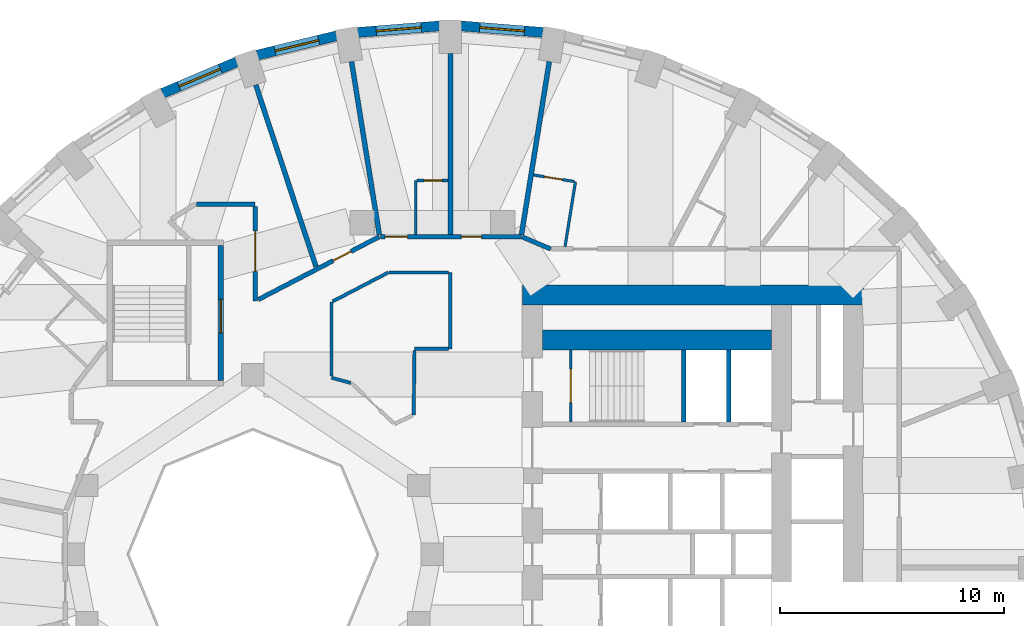
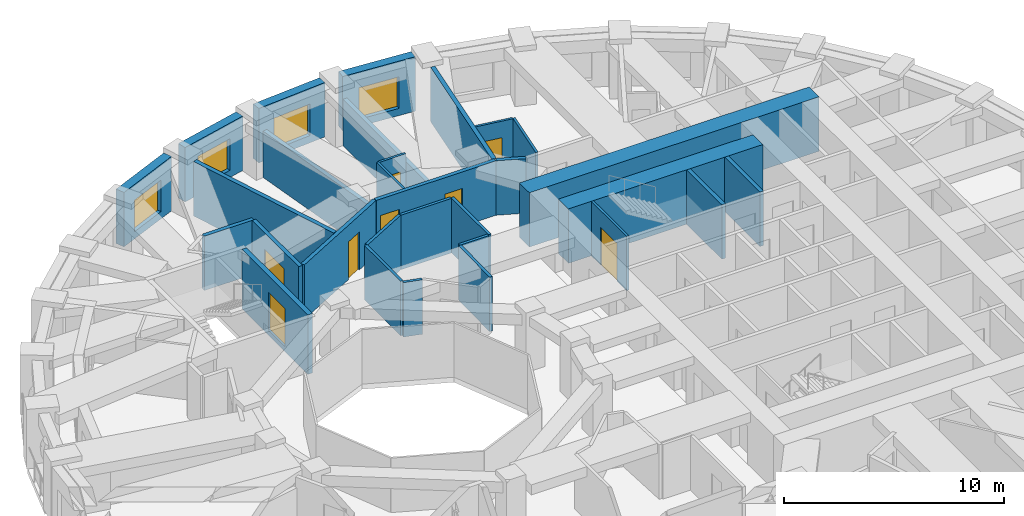
# One storey, part 8 of 13: 30 walls, 8 doors, 4 windows, 12 openings.
"""IFC4 building model written with IfcOpenShell, lengths in metres."""

from ifc_helpers import new_model, si_unit, direction, frame, frame_2d, origin, place, context, subcontext, project, spatial, rectangle, extrude, material, layer, layer_set, type_object, element, fill, save


model = new_model("IFC4")

# Units and contexts
model_context = context("Model", 3, precision=1e-05, world=origin(), true_north=direction((0.0, 1.0)))
body_context = subcontext(model_context, "Body", "Model", "MODEL_VIEW")
ifc_project = project(units=[si_unit("LENGTHUNIT", "METRE"), si_unit("AREAUNIT", "SQUARE_METRE"), si_unit("VOLUMEUNIT", "CUBIC_METRE"), si_unit("PLANEANGLEUNIT", "RADIAN"), si_unit("MASSUNIT", "GRAM", prefix="KILO")], contexts=[model_context])

# Site, building, storey
site_placement = place(None, origin())
site = spatial("IfcSite", under=ifc_project, at=site_placement, CompositionType="ELEMENT")
building_placement = place(site_placement, origin())
building = spatial("IfcBuilding", under=site, at=building_placement, Name="Taillehof Tower", CompositionType="ELEMENT")
storey_placement = place(building_placement, frame((0.0, 0.0, 112.0)))
storey = spatial("IfcBuildingStorey", under=building, at=storey_placement, Name="L31", CompositionType="ELEMENT", Elevation=112.0)

# Wall, opening, window
ifc_material_1 = material(Name="Brick masonry", Category="masonry")
ifc_layer_1 = layer(ifc_material_1, 0.449951171875)
ifc_layer_set_1 = layer_set([ifc_layer_1], Name="Brick infill wall 450")
wall_type_1 = type_object("IfcWallType", Name="Brick infill wall 450", PredefinedType="SOLIDWALL", material=ifc_layer_set_1)
wall_1_placement = place(storey_placement, frame((4.926513671875, 23.24658203125, 0.0), z_axis=(0.0, 0.0, 1.0), x_axis=(-0.996862216754, 0.079156306178, 0.0)))
wall_1 = element("IfcWall", 1, at=wall_1_placement, inside=storey, type_object=wall_type_1, Name="Brick wall L31 bay 9", PredefinedType="SOLIDWALL", context=body_context, shape_type="SweptSolid", body=[
    extrude(rectangle(XDim=3.657958984375, YDim=0.449951171875, at=frame_2d((1.8291015625, 0.0))), origin(), (0.0, 0.0, 1.0), 3.02001953125),
])
opening_1_placement = place(wall_1_placement, frame((0.8291015625, 0.0, 0.39990234375)))
opening_1 = element("IfcOpeningElement", 2, at=opening_1_placement, cuts=wall_1, Name="Opening W2", PredefinedType="OPENING", context=body_context, shape_type="SweptSolid", body=[
    extrude(rectangle(XDim=2.0, YDim=1.75, at=frame_2d((1.0, 0.875))), frame((0.0, 0.23486328125, 0.0), z_axis=(0.0, -1.0, 0.0), x_axis=(1.0, 0.0, 0.0)), (0.0, 0.0, 1.0), 0.469970703125),
])
ifc_material_2 = material(Name="Aluminium window frame with clear double glazing", Category="aluminium")
window_type = type_object("IfcWindowType", Name="Deep-set window 2000x1750", PartitioningType="SINGLE_PANEL", PredefinedType="WINDOW", material=ifc_material_2)
window_1_placement = place(opening_1_placement, origin())
window_1 = element("IfcWindow", 3, at=window_1_placement, inside=storey, type_object=window_type, Name="W2", OverallHeight=1.75, OverallWidth=2.0, PartitioningType="SINGLE_PANEL", PredefinedType="WINDOW", context=body_context, shape_type="SweptSolid", body=[
    extrude(rectangle(XDim=2.0, YDim=1.75, at=frame_2d((1.0, 0.875))), frame((0.0, 0.034912109375, 0.0), z_axis=(0.0, -1.0, 0.0), x_axis=(1.0, 0.0, 0.0)), (0.0, 0.0, 1.0), 0.06005859375),
])
fill(opening_1, window_1)

wall_2_placement = place(storey_placement, frame((0.31982421875, 23.5361328125, 0.0), z_axis=(0.0, 0.0, 1.0), x_axis=(-0.996862216754, -0.079156306178, 0.0)))
wall_2 = element("IfcWall", 4, at=wall_2_placement, inside=storey, type_object=wall_type_1, Name="Brick wall L31 bay 10", PredefinedType="SOLIDWALL", context=body_context, shape_type="SweptSolid", body=[
    extrude(rectangle(XDim=3.657958984375, YDim=0.449951171875, at=frame_2d((1.8291015625, 0.0))), origin(), (0.0, 0.0, 1.0), 3.02001953125),
])
opening_2_placement = place(wall_2_placement, frame((0.8291015625, 0.0, 0.39990234375)))
opening_2 = element("IfcOpeningElement", 5, at=opening_2_placement, cuts=wall_2, Name="Opening W2", PredefinedType="OPENING", context=body_context, shape_type="SweptSolid", body=[
    extrude(rectangle(XDim=2.0, YDim=1.75, at=frame_2d((1.0, 0.875))), frame((0.0, 0.23486328125, 0.0), z_axis=(0.0, -1.0, 0.0), x_axis=(1.0, 0.0, 0.0)), (0.0, 0.0, 1.0), 0.469970703125),
])
window_2_placement = place(opening_2_placement, origin())
window_2 = element("IfcWindow", 6, at=window_2_placement, inside=storey, type_object=window_type, Name="W2", OverallHeight=1.75, OverallWidth=2.0, PartitioningType="SINGLE_PANEL", PredefinedType="WINDOW", context=body_context, shape_type="SweptSolid", body=[
    extrude(rectangle(XDim=2.0, YDim=1.75, at=frame_2d((1.0, 0.875))), frame((0.0, 0.034912109375, 0.0), z_axis=(0.0, -1.0, 0.0), x_axis=(1.0, 0.0, 0.0)), (0.0, 0.0, 1.0), 0.06005859375),
])
fill(opening_2, window_2)

wall_3_placement = place(storey_placement, frame((-4.274658203125, 23.094482421875, 0.0), z_axis=(0.0, 0.0, 1.0), x_axis=(-0.971667603162, -0.236351579148, 0.0)))
wall_3 = element("IfcWall", 7, at=wall_3_placement, inside=storey, type_object=wall_type_1, Name="Brick wall L31 bay 11", PredefinedType="SOLIDWALL", context=body_context, shape_type="SweptSolid", body=[
    extrude(rectangle(XDim=3.635009765625, YDim=0.449951171875, at=frame_2d((1.8173828125, 0.0))), origin(), (0.0, 0.0, 1.0), 3.02001953125),
])
opening_3_placement = place(wall_3_placement, frame((0.8173828125, 0.0, 0.39990234375)))
opening_3 = element("IfcOpeningElement", 8, at=opening_3_placement, cuts=wall_3, Name="Opening W2", PredefinedType="OPENING", context=body_context, shape_type="SweptSolid", body=[
    extrude(rectangle(XDim=2.0, YDim=1.75, at=frame_2d((1.0, 0.875))), frame((0.0, 0.23486328125, 0.0), z_axis=(0.0, -1.0, 0.0), x_axis=(1.0, 0.0, 0.0)), (0.0, 0.0, 1.0), 0.469970703125),
])
window_3_placement = place(opening_3_placement, origin())
window_3 = element("IfcWindow", 9, at=window_3_placement, inside=storey, type_object=window_type, Name="W2", OverallHeight=1.75, OverallWidth=2.0, PartitioningType="SINGLE_PANEL", PredefinedType="WINDOW", context=body_context, shape_type="SweptSolid", body=[
    extrude(rectangle(XDim=2.0, YDim=1.75, at=frame_2d((1.0, 0.875))), frame((0.0, 0.034912109375, 0.0), z_axis=(0.0, -1.0, 0.0), x_axis=(1.0, 0.0, 0.0)), (0.0, 0.0, 1.0), 0.06005859375),
])
fill(opening_3, window_3)

wall_4_placement = place(storey_placement, frame((-8.718017578125, 21.93359375, 0.0), z_axis=(0.0, 0.0, 1.0), x_axis=(-0.920879975612, -0.389846213932, 0.0)))
wall_4 = element("IfcWall", 10, at=wall_4_placement, inside=storey, type_object=wall_type_1, Name="Brick wall L31 bay 12", PredefinedType="SOLIDWALL", context=body_context, shape_type="SweptSolid", body=[
    extrude(rectangle(XDim=3.591552734375, YDim=0.449951171875, at=frame_2d((1.7958984375, 0.0))), origin(), (0.0, 0.0, 1.0), 3.02001953125),
])
opening_4_placement = place(wall_4_placement, frame((0.795654296875, 0.0, 0.39990234375)))
opening_4 = element("IfcOpeningElement", 11, at=opening_4_placement, cuts=wall_4, Name="Opening W2", PredefinedType="OPENING", context=body_context, shape_type="SweptSolid", body=[
    extrude(rectangle(XDim=2.0, YDim=1.75, at=frame_2d((1.0, 0.875))), frame((0.0, 0.23486328125, 0.0), z_axis=(0.0, -1.0, 0.0), x_axis=(1.0, 0.0, 0.0)), (0.0, 0.0, 1.0), 0.469970703125),
])
window_4_placement = place(opening_4_placement, origin())
window_4 = element("IfcWindow", 12, at=window_4_placement, inside=storey, type_object=window_type, Name="W2", OverallHeight=1.75, OverallWidth=2.0, PartitioningType="SINGLE_PANEL", PredefinedType="WINDOW", context=body_context, shape_type="SweptSolid", body=[
    extrude(rectangle(XDim=2.0, YDim=1.75, at=frame_2d((1.0, 0.875))), frame((0.0, 0.034912109375, 0.0), z_axis=(0.0, -1.0, 0.0), x_axis=(1.0, 0.0, 0.0)), (0.0, 0.0, 1.0), 0.06005859375),
])
fill(opening_4, window_4)

# Wall
ifc_material_3 = material(Name="Gypsum board on steel studs, two layers each side", Category="steel")
ifc_layer_2 = layer(ifc_material_3, 0.199951171875)
ifc_layer_set_2 = layer_set([ifc_layer_2], Name="Compartment wall corridor 200")
wall_type_2 = type_object("IfcWallType", Name="Compartment wall corridor 200", PredefinedType="PARTITIONING", material=ifc_layer_set_2)
wall_5_placement = place(storey_placement, frame((-10.508544921875, 15.60009765625, 0.0), z_axis=(0.0, 0.0, 1.0), x_axis=(1.0, 0.0, 0.0)))
element("IfcWall", 13, at=wall_5_placement, inside=storey, type_object=wall_type_2, Name="Compartment wall", PredefinedType="PARTITIONING", context=body_context, shape_type="SweptSolid", body=[
    extrude(rectangle(XDim=2.608642578125, YDim=0.199951171875, at=frame_2d((1.30419921875, 0.0))), origin(), (0.0, 0.0, 1.0), 3.02001953125),
])

# Wall, opening, door
wall_6_placement = place(storey_placement, frame((-7.89990234375, 15.5, 0.0), z_axis=(0.0, 0.0, 1.0), x_axis=(0.0, -1.0, 0.0)))
wall_6 = element("IfcWall", 14, at=wall_6_placement, inside=storey, type_object=wall_type_2, Name="Compartment wall", PredefinedType="PARTITIONING", context=body_context, shape_type="SweptSolid", body=[
    extrude(rectangle(XDim=4.22998046875, YDim=0.199951171875, at=frame_2d((2.114990234375, 0.0))), origin(), (0.0, 0.0, 1.0), 3.02001953125),
])
opening_5_placement = place(wall_6_placement, frame((1.1044921875, 0.0, 0.0)))
opening_5 = element("IfcOpeningElement", 15, at=opening_5_placement, cuts=wall_6, Name="Opening D3148", PredefinedType="OPENING", context=body_context, shape_type="SweptSolid", body=[
    extrude(rectangle(XDim=1.800048828125, YDim=2.10009765625, at=frame_2d((0.89990234375, 1.050048828125))), frame((0.0, 0.10986328125, 0.0), z_axis=(0.0, -1.0, 0.0), x_axis=(1.0, 0.0, 0.0)), (0.0, 0.0, 1.0), 0.219970703125),
])
ifc_material_4 = material(Name="Timber door leaf in steel frame", Category="steel")
door_type_1 = type_object("IfcDoorType", Name="Lounge and meeting room double door EI 30 1800 x 2100", OperationType="SINGLE_SWING_LEFT", PredefinedType="DOOR", material=ifc_material_4)
door_1_placement = place(opening_5_placement, origin())
door_1 = element("IfcDoor", 16, at=door_1_placement, inside=storey, type_object=door_type_1, Name="D3148", OperationType="DOUBLE_DOOR_SINGLE_SWING", OverallHeight=2.10009765625, OverallWidth=1.800048828125, PredefinedType="DOOR", context=body_context, shape_type="SweptSolid", body=[
    extrude(rectangle(XDim=1.800048828125, YDim=2.10009765625, at=frame_2d((0.89990234375, 1.050048828125))), frame((0.0, 0.02490234375, 0.0), z_axis=(0.0, -1.0, 0.0), x_axis=(1.0, 0.0, 0.0)), (0.0, 0.0, 1.0), 0.050048828125),
])
fill(opening_5, door_1)

wall_7_placement = place(storey_placement, frame((-7.75732421875, 11.34423828125, 0.0), z_axis=(0.0, 0.0, 1.0), x_axis=(0.887263483993, 0.461262951008, 0.0)))
wall_7 = element("IfcWall", 17, at=wall_7_placement, inside=storey, type_object=wall_type_2, Name="Compartment wall", PredefinedType="PARTITIONING", context=body_context, shape_type="SweptSolid", body=[
    extrude(rectangle(XDim=6.078857421875, YDim=0.199951171875, at=frame_2d((3.03955078125, 0.0))), origin(), (0.0, 0.0, 1.0), 3.02001953125),
])
opening_6_placement = place(wall_7_placement, frame((3.75048828125, 0.0, 0.0)))
opening_6 = element("IfcOpeningElement", 18, at=opening_6_placement, cuts=wall_7, Name="Opening D3147", PredefinedType="OPENING", context=body_context, shape_type="SweptSolid", body=[
    extrude(rectangle(XDim=0.89990234375, YDim=2.10009765625, at=frame_2d((0.449951171875, 1.050048828125))), frame((0.0, 0.10986328125, 0.0), z_axis=(0.0, -1.0, 0.0), x_axis=(1.0, 0.0, 0.0)), (0.0, 0.0, 1.0), 0.219970703125),
])
ifc_material_5 = material(Name="Timber door leaf in steel frame", Category="steel")
door_type_2 = type_object("IfcDoorType", Name="Service room door EI 30 900 x 2100", OperationType="SINGLE_SWING_LEFT", PredefinedType="DOOR", material=ifc_material_5)
door_2_placement = place(opening_6_placement, origin())
door_2 = element("IfcDoor", 19, at=door_2_placement, inside=storey, type_object=door_type_2, Name="D3147", OperationType="SINGLE_SWING_LEFT", OverallHeight=2.10009765625, OverallWidth=0.89990234375, PredefinedType="DOOR", context=body_context, shape_type="SweptSolid", body=[
    extrude(rectangle(XDim=0.89990234375, YDim=2.10009765625, at=frame_2d((0.449951171875, 1.050048828125))), frame((0.0, 0.02490234375, 0.0), z_axis=(0.0, -1.0, 0.0), x_axis=(1.0, 0.0, 0.0)), (0.0, 0.0, 1.0), 0.050048828125),
])
fill(opening_6, door_2)

# Wall, openings, doors
wall_8_placement = place(storey_placement, frame((-2.32373046875, 14.148193359375, 0.0), z_axis=(0.0, 0.0, 1.0), x_axis=(1.0, 0.0, 0.0)))
wall_8 = element("IfcWall", 20, at=wall_8_placement, inside=storey, type_object=wall_type_2, Name="Compartment wall", PredefinedType="PARTITIONING", context=body_context, shape_type="SweptSolid", body=[
    extrude(rectangle(XDim=6.28759765625, YDim=0.199951171875, at=frame_2d((3.143798828125, 0.0))), origin(), (0.0, 0.0, 1.0), 3.02001953125),
])
opening_7_placement = place(wall_8_placement, frame((3.61669921875, 0.0, 0.0)))
opening_7 = element("IfcOpeningElement", 21, at=opening_7_placement, cuts=wall_8, Name="Opening D3144", PredefinedType="OPENING", context=body_context, shape_type="SweptSolid", body=[
    extrude(rectangle(XDim=0.89990234375, YDim=2.10009765625, at=frame_2d((0.449951171875, 1.050048828125))), frame((0.0, 0.10986328125, 0.0), z_axis=(0.0, -1.0, 0.0), x_axis=(1.0, 0.0, 0.0)), (0.0, 0.0, 1.0), 0.219970703125),
])
opening_8_placement = place(wall_8_placement, frame((0.219970703125, 0.0, 0.0)))
opening_8 = element("IfcOpeningElement", 22, at=opening_8_placement, cuts=wall_8, Name="Opening D3145", PredefinedType="OPENING", context=body_context, shape_type="SweptSolid", body=[
    extrude(rectangle(XDim=1.0, YDim=2.10009765625, at=frame_2d((0.5, 1.050048828125))), frame((0.0, 0.10986328125, 0.0), z_axis=(0.0, -1.0, 0.0), x_axis=(1.0, 0.0, 0.0)), (0.0, 0.0, 1.0), 0.219970703125),
])
ifc_material_6 = material(Name="Timber door leaf in steel frame", Category="steel")
door_type_3 = type_object("IfcDoorType", Name="Guest room door EI 30 1000 x 2100", OperationType="SINGLE_SWING_LEFT", PredefinedType="DOOR", material=ifc_material_6)
door_3_placement = place(opening_8_placement, origin())
door_3 = element("IfcDoor", 23, at=door_3_placement, inside=storey, type_object=door_type_3, Name="D3145", OperationType="SINGLE_SWING_LEFT", OverallHeight=2.10009765625, OverallWidth=1.0, PredefinedType="DOOR", context=body_context, shape_type="SweptSolid", body=[
    extrude(rectangle(XDim=1.0, YDim=2.10009765625, at=frame_2d((0.5, 1.050048828125))), frame((0.0, 0.02490234375, 0.0), z_axis=(0.0, -1.0, 0.0), x_axis=(1.0, 0.0, 0.0)), (0.0, 0.0, 1.0), 0.050048828125),
])
fill(opening_8, door_3)
door_4_placement = place(opening_7_placement, origin())
door_4 = element("IfcDoor", 24, at=door_4_placement, inside=storey, type_object=door_type_2, Name="D3144", OperationType="SINGLE_SWING_LEFT", OverallHeight=2.10009765625, OverallWidth=0.89990234375, PredefinedType="DOOR", context=body_context, shape_type="SweptSolid", body=[
    extrude(rectangle(XDim=0.89990234375, YDim=2.10009765625, at=frame_2d((0.449951171875, 1.050048828125))), frame((0.0, 0.02490234375, 0.0), z_axis=(0.0, -1.0, 0.0), x_axis=(1.0, 0.0, 0.0)), (0.0, 0.0, 1.0), 0.050048828125),
])
fill(opening_7, door_4)

# Walls
wall_9_placement = place(storey_placement, frame((4.00048828125, 14.132568359375, 0.0), z_axis=(0.0, 0.0, 1.0), x_axis=(0.921370144432, -0.388686322051, 0.0)))
element("IfcWall", 25, at=wall_9_placement, inside=storey, type_object=wall_type_2, Name="Compartment wall", PredefinedType="PARTITIONING", context=body_context, shape_type="SweptSolid", body=[
    extrude(rectangle(XDim=1.369873046875, YDim=0.199951171875, at=frame_2d((0.68505859375, 0.0))), origin(), (0.0, 0.0, 1.0), 3.02001953125),
])
ifc_material_7 = material(Name="Gypsum board on double steel studs with mineral wool", Category="steel")
ifc_layer_3 = layer(ifc_material_7, 0.219970703125)
ifc_layer_set_3 = layer_set([ifc_layer_3], Name="Compartment wall guest room 220")
wall_type_3 = type_object("IfcWallType", Name="Compartment wall guest room 220", PredefinedType="PARTITIONING", material=ifc_layer_set_3)
wall_10_placement = place(storey_placement, frame((5.20458984375, 21.9501953125, 0.0), z_axis=(0.0, 0.0, 1.0), x_axis=(-0.158499016873, -0.987359135092, 0.0)))
element("IfcWall", 26, at=wall_10_placement, inside=storey, type_object=wall_type_3, Name="Compartment wall", PredefinedType="PARTITIONING", context=body_context, shape_type="SweptSolid", body=[
    extrude(rectangle(XDim=7.807861328125, YDim=0.219970703125, at=frame_2d((3.90380859375, 0.0))), origin(), (0.0, 0.0, 1.0), 3.02001953125),
])
wall_11_placement = place(storey_placement, frame((0.800048828125, 22.300048828125, 0.0), z_axis=(0.0, 0.0, 1.0), x_axis=(0.0, -1.0, 0.0)))
element("IfcWall", 27, at=wall_11_placement, inside=storey, type_object=wall_type_3, Name="Compartment wall", PredefinedType="PARTITIONING", context=body_context, shape_type="SweptSolid", body=[
    extrude(rectangle(XDim=8.0517578125, YDim=0.219970703125, at=frame_2d((4.02587890625, 0.0))), origin(), (0.0, 0.0, 1.0), 2.570068359375),
])
wall_12_placement = place(storey_placement, frame((-3.604736328125, 21.9501953125, 0.0), z_axis=(0.0, 0.0, 1.0), x_axis=(0.158529499426, -0.987354241299, 0.0)))
element("IfcWall", 28, at=wall_12_placement, inside=storey, type_object=wall_type_3, Name="Compartment wall", PredefinedType="PARTITIONING", context=body_context, shape_type="SweptSolid", body=[
    extrude(rectangle(XDim=7.807861328125, YDim=0.219970703125, at=frame_2d((3.90380859375, 0.0))), origin(), (0.0, 0.0, 1.0), 2.570068359375),
])
wall_13_placement = place(storey_placement, frame((-7.873779296875, 20.911865234375, 0.0), z_axis=(0.0, 0.0, 1.0), x_axis=(0.314561749761, -0.949237012335, 0.0)))
element("IfcWall", 29, at=wall_13_placement, inside=storey, type_object=wall_type_3, Name="Compartment wall", PredefinedType="PARTITIONING", context=body_context, shape_type="SweptSolid", body=[
    extrude(rectangle(XDim=8.53125, YDim=0.219970703125, at=frame_2d((4.265625, 0.0))), origin(), (0.0, 0.0, 1.0), 3.02001953125),
])
ifc_material_8 = material(Name="Gypsum board on steel studs, two layers each side", Category="steel")
ifc_layer_4 = layer(ifc_material_8, 0.14990234375)
ifc_layer_set_4 = layer_set([ifc_layer_4], Name="Compartment wall service room 150")
wall_type_4 = type_object("IfcWallType", Name="Compartment wall service room 150", PredefinedType="PARTITIONING", material=ifc_layer_set_4)
wall_14_placement = place(storey_placement, frame((0.800048828125, 12.548095703125, 0.0), z_axis=(0.0, 0.0, 1.0), x_axis=(0.0, -1.0, 0.0)))
element("IfcWall", 30, at=wall_14_placement, inside=storey, type_object=wall_type_4, Name="Compartment wall", PredefinedType="PARTITIONING", context=body_context, shape_type="SweptSolid", body=[
    extrude(rectangle(XDim=3.398193359375, YDim=0.14990234375, at=frame_2d((1.69921875, 0.0))), origin(), (0.0, 0.0, 1.0), 3.02001953125),
])
wall_15_placement = place(storey_placement, frame((0.719970703125, 9.14990234375, 0.0), z_axis=(0.0, 0.0, 1.0), x_axis=(-1.0, 0.0, 0.0)))
element("IfcWall", 31, at=wall_15_placement, inside=storey, type_object=wall_type_4, Name="Compartment wall", PredefinedType="PARTITIONING", context=body_context, shape_type="SweptSolid", body=[
    extrude(rectangle(XDim=1.52001953125, YDim=0.14990234375, at=frame_2d((0.760009765625, 0.0))), origin(), (0.0, 0.0, 1.0), 3.02001953125),
])
wall_16_placement = place(storey_placement, frame((-0.801025390625, 9.06982421875, 0.0), z_axis=(0.0, 0.0, 1.0), x_axis=(-0.012779053564, -0.999918344561, 0.0)))
element("IfcWall", 32, at=wall_16_placement, inside=storey, type_object=wall_type_4, Name="Compartment wall", PredefinedType="PARTITIONING", context=body_context, shape_type="SweptSolid", body=[
    extrude(rectangle(XDim=2.86572265625, YDim=0.14990234375, at=frame_2d((1.432861328125, 0.0))), origin(), (0.0, 0.0, 1.0), 3.02001953125),
])
wall_17_placement = place(storey_placement, frame((-3.638671875, 7.631103515625, 0.0), z_axis=(0.0, 0.0, 1.0), x_axis=(-0.965879594242, 0.258991523853, 0.0)))
element("IfcWall", 33, at=wall_17_placement, inside=storey, type_object=wall_type_4, Name="Compartment wall", PredefinedType="PARTITIONING", context=body_context, shape_type="SweptSolid", body=[
    extrude(rectangle(XDim=0.891845703125, YDim=0.14990234375, at=frame_2d((0.44580078125, 0.0))), origin(), (0.0, 0.0, 1.0), 3.02001953125),
])
wall_18_placement = place(storey_placement, frame((-4.5, 7.942138671875, 0.0), z_axis=(0.0, 0.0, 1.0), x_axis=(0.0, 1.0, 0.0)))
element("IfcWall", 34, at=wall_18_placement, inside=storey, type_object=wall_type_4, Name="Compartment wall", PredefinedType="PARTITIONING", context=body_context, shape_type="SweptSolid", body=[
    extrude(rectangle(XDim=3.292236328125, YDim=0.14990234375, at=frame_2d((1.64599609375, 0.0))), origin(), (0.0, 0.0, 1.0), 3.02001953125),
])
wall_19_placement = place(storey_placement, frame((-4.446533203125, 11.26220703125, 0.0), z_axis=(0.0, 0.0, 1.0), x_axis=(0.887294207503, 0.461203847915, 0.0)))
element("IfcWall", 35, at=wall_19_placement, inside=storey, type_object=wall_type_4, Name="Compartment wall", PredefinedType="PARTITIONING", context=body_context, shape_type="SweptSolid", body=[
    extrude(rectangle(XDim=2.7880859375, YDim=0.14990234375, at=frame_2d((1.39404296875, 0.0))), origin(), (0.0, 0.0, 1.0), 3.02001953125),
])
wall_20_placement = place(storey_placement, frame((-1.9326171875, 12.548095703125, 0.0), z_axis=(0.0, 0.0, 1.0), x_axis=(1.0, 0.0, 0.0)))
element("IfcWall", 36, at=wall_20_placement, inside=storey, type_object=wall_type_4, Name="Compartment wall", PredefinedType="PARTITIONING", context=body_context, shape_type="SweptSolid", body=[
    extrude(rectangle(XDim=2.652587890625, YDim=0.14990234375, at=frame_2d((1.326171875, 0.0))), origin(), (0.0, 0.0, 1.0), 3.02001953125),
])
ifc_material_9 = material(Name="Concrete C80/95", Category="concrete")
ifc_layer_5 = layer(ifc_material_9, 0.89990234375)
ifc_layer_set_5 = layer_set([ifc_layer_5], Name="Core wall C80/95 900")
wall_type_5 = type_object("IfcWallType", Name="Core wall C80/95 900", PredefinedType="SHEAR", material=ifc_layer_set_5)
wall_21_placement = place(storey_placement, frame((4.0, 11.550048828125, 0.0), z_axis=(0.0, 0.0, 1.0), x_axis=(1.0, 0.0, 0.0)))
element("IfcWall", 37, at=wall_21_placement, inside=storey, type_object=wall_type_5, Name="Core wall CW03", PredefinedType="SHEAR", context=body_context, shape_type="SweptSolid", body=[
    extrude(rectangle(XDim=15.199951171875, YDim=0.89990234375, at=frame_2d((7.60009765625, 0.0))), origin(), (0.0, 0.0, 1.0), 3.02001953125),
])
wall_22_placement = place(storey_placement, frame((4.89990234375, 9.550048828125, 0.0), z_axis=(0.0, 0.0, 1.0), x_axis=(1.0, 0.0, 0.0)))
element("IfcWall", 38, at=wall_22_placement, inside=storey, type_object=wall_type_5, Name="Core wall CW06", PredefinedType="SHEAR", context=body_context, shape_type="SweptSolid", body=[
    extrude(rectangle(XDim=10.2001953125, YDim=0.89990234375, at=frame_2d((5.10009765625, 0.0))), origin(), (0.0, 0.0, 1.0), 3.02001953125),
])
ifc_material_10 = material(Name="Gypsum board on steel studs, moisture resistant", Category="steel")
ifc_layer_6 = layer(ifc_material_10, 0.1201171875)
ifc_layer_set_6 = layer_set([ifc_layer_6], Name="En-suite wall 120")
wall_type_6 = type_object("IfcWallType", Name="En-suite wall 120", PredefinedType="PARTITIONING", material=ifc_layer_set_6)
wall_23_placement = place(storey_placement, frame((5.90576171875, 13.7001953125, 0.0), z_axis=(0.0, 0.0, 1.0), x_axis=(0.158509986532, 0.98735737409, 0.0)))
element("IfcWall", 39, at=wall_23_placement, inside=storey, type_object=wall_type_6, Name="En-suite wall", PredefinedType="PARTITIONING", context=body_context, shape_type="SweptSolid", body=[
    extrude(rectangle(XDim=2.9326171875, YDim=0.1201171875, at=frame_2d((1.46630859375, 0.0))), origin(), (0.0, 0.0, 1.0), 3.02001953125),
])
wall_24_placement = place(storey_placement, frame((-0.75, 14.248291015625, 0.0), z_axis=(0.0, 0.0, 1.0), x_axis=(0.0, 1.0, 0.0)))
element("IfcWall", 40, at=wall_24_placement, inside=storey, type_object=wall_type_6, Name="En-suite wall", PredefinedType="PARTITIONING", context=body_context, shape_type="SweptSolid", body=[
    extrude(rectangle(XDim=2.39990234375, YDim=0.1201171875, at=frame_2d((1.199951171875, 0.0))), origin(), (0.0, 0.0, 1.0), 3.02001953125),
])

# Wall, opening, door
wall_25_placement = place(storey_placement, frame((6.311279296875, 16.605224609375, 0.0), z_axis=(0.0, 0.0, 1.0), x_axis=(-0.987336342922, 0.158640934018, 0.0)))
wall_25 = element("IfcWall", 41, at=wall_25_placement, inside=storey, type_object=wall_type_6, Name="En-suite wall", PredefinedType="PARTITIONING", context=body_context, shape_type="SweptSolid", body=[
    extrude(rectangle(XDim=1.829833984375, YDim=0.1201171875, at=frame_2d((0.9150390625, 0.0))), origin(), (0.0, 0.0, 1.0), 3.02001953125),
])
opening_9_placement = place(wall_25_placement, frame((0.539794921875, 0.0, 0.0)))
opening_9 = element("IfcOpeningElement", 42, at=opening_9_placement, cuts=wall_25, Name="Opening D3143", PredefinedType="OPENING", context=body_context, shape_type="SweptSolid", body=[
    extrude(rectangle(XDim=0.800048828125, YDim=2.10009765625, at=frame_2d((0.39990234375, 1.050048828125))), frame((0.0, 0.070068359375, 0.0), z_axis=(0.0, -1.0, 0.0), x_axis=(1.0, 0.0, 0.0)), (0.0, 0.0, 1.0), 0.14013671875),
])
ifc_material_11 = material(Name="Timber door leaf in steel frame", Category="steel")
door_type_4 = type_object("IfcDoorType", Name="En-suite door 800 x 2100", OperationType="SINGLE_SWING_LEFT", PredefinedType="DOOR", material=ifc_material_11)
door_5_placement = place(opening_9_placement, origin())
door_5 = element("IfcDoor", 43, at=door_5_placement, inside=storey, type_object=door_type_4, Name="D3143", OperationType="SINGLE_SWING_LEFT", OverallHeight=2.10009765625, OverallWidth=0.800048828125, PredefinedType="DOOR", context=body_context, shape_type="SweptSolid", body=[
    extrude(rectangle(XDim=0.800048828125, YDim=2.10009765625, at=frame_2d((0.39990234375, 1.050048828125))), frame((0.0, 0.02490234375, 0.0), z_axis=(0.0, -1.0, 0.0), x_axis=(1.0, 0.0, 0.0)), (0.0, 0.0, 1.0), 0.050048828125),
])
fill(opening_9, door_5)

wall_26_placement = place(storey_placement, frame((-0.68994140625, 16.648193359375, 0.0), z_axis=(0.0, 0.0, 1.0), x_axis=(1.0, 0.0, 0.0)))
wall_26 = element("IfcWall", 44, at=wall_26_placement, inside=storey, type_object=wall_type_6, Name="En-suite wall", PredefinedType="PARTITIONING", context=body_context, shape_type="SweptSolid", body=[
    extrude(rectangle(XDim=1.3798828125, YDim=0.1201171875, at=frame_2d((0.68994140625, 0.0))), origin(), (0.0, 0.0, 1.0), 3.02001953125),
])
opening_10_placement = place(wall_26_placement, frame((0.31494140625, 0.0, 0.0)))
opening_10 = element("IfcOpeningElement", 45, at=opening_10_placement, cuts=wall_26, Name="Opening D3146", PredefinedType="OPENING", context=body_context, shape_type="SweptSolid", body=[
    extrude(rectangle(XDim=0.800048828125, YDim=2.10009765625, at=frame_2d((0.39990234375, 1.050048828125))), frame((0.0, 0.070068359375, 0.0), z_axis=(0.0, -1.0, 0.0), x_axis=(1.0, 0.0, 0.0)), (0.0, 0.0, 1.0), 0.14013671875),
])
door_6_placement = place(opening_10_placement, origin())
door_6 = element("IfcDoor", 46, at=door_6_placement, inside=storey, type_object=door_type_4, Name="D3146", OperationType="SINGLE_SWING_RIGHT", OverallHeight=2.10009765625, OverallWidth=0.800048828125, PredefinedType="DOOR", context=body_context, shape_type="SweptSolid", body=[
    extrude(rectangle(XDim=0.800048828125, YDim=2.10009765625, at=frame_2d((0.39990234375, 1.050048828125))), frame((0.0, 0.02490234375, 0.0), z_axis=(0.0, -1.0, 0.0), x_axis=(1.0, 0.0, 0.0)), (0.0, 0.0, 1.0), 0.050048828125),
])
fill(opening_10, door_6)

# Walls
ifc_material_12 = material(Name="Concrete C50/60", Category="concrete")
ifc_layer_7 = layer(ifc_material_12, 0.199951171875)
ifc_layer_set_7 = layer_set([ifc_layer_7], Name="Shaft wall C50/60 200")
wall_type_7 = type_object("IfcWallType", Name="Shaft wall C50/60 200", PredefinedType="SHEAR", material=ifc_layer_set_7)
for number, where, z_axis, x_axis, name in (
    (47, (11.199951171875, 5.89990234375, 0.0), (0.0, 0.0, 1.0), (0.0, 1.0, 0.0), "Shaft wall SW"),
    (48, (13.199951171875, 5.89990234375, 0.0), (0.0, 0.0, 1.0), (0.0, 1.0, 0.0), "Shaft wall SW"),
):
    element("IfcWall", number, at=place(storey_placement, frame(where, z_axis=z_axis, x_axis=x_axis)), inside=storey, type_object=wall_type_7, Name=name, PredefinedType="SHEAR", context=body_context, shape_type="SweptSolid", body=[
        extrude(rectangle(XDim=3.2001953125, YDim=0.199951171875, at=frame_2d((1.60009765625, 0.0))), origin(), (0.0, 0.0, 1.0), 3.02001953125),
    ])

# Wall, opening, door
ifc_material_13 = material(Name="Concrete C50/60", Category="concrete")
ifc_layer_8 = layer(ifc_material_13, 0.1201171875)
ifc_layer_set_8 = layer_set([ifc_layer_8], Name="Stair lobby wall C50/60 120")
wall_type_8 = type_object("IfcWallType", Name="Stair lobby wall C50/60 120", PredefinedType="SHEAR", material=ifc_layer_set_8)
wall_27_placement = place(storey_placement, frame((6.159912109375, 5.89990234375, 0.0), z_axis=(0.0, 0.0, 1.0), x_axis=(0.0, 1.0, 0.0)))
wall_27 = element("IfcWall", 49, at=wall_27_placement, inside=storey, type_object=wall_type_8, Name="Compartment wall SW", PredefinedType="SHEAR", context=body_context, shape_type="SweptSolid", body=[
    extrude(rectangle(XDim=3.2001953125, YDim=0.1201171875, at=frame_2d((1.60009765625, 0.0))), origin(), (0.0, 0.0, 1.0), 3.02001953125),
])
opening_11_placement = place(wall_27_placement, frame((0.85009765625, 0.0, 0.0)))
opening_11 = element("IfcOpeningElement", 50, at=opening_11_placement, cuts=wall_27, Name="Opening D3110", PredefinedType="OPENING", context=body_context, shape_type="SweptSolid", body=[
    extrude(rectangle(XDim=1.5, YDim=2.10009765625, at=frame_2d((0.75, 1.050048828125))), frame((0.0, 0.070068359375, 0.0), z_axis=(0.0, -1.0, 0.0), x_axis=(1.0, 0.0, 0.0)), (0.0, 0.0, 1.0), 0.14013671875),
])
ifc_material_14 = material(Name="Steel-faced fire door", Category="steel")
door_type_5 = type_object("IfcDoorType", Name="Stair door 1500x2100", OperationType="DOUBLE_DOOR_SINGLE_SWING", PredefinedType="DOOR", material=ifc_material_14)
door_7_placement = place(opening_11_placement, origin())
door_7 = element("IfcDoor", 51, at=door_7_placement, inside=storey, type_object=door_type_5, Name="Stair lobby door S1", OperationType="DOUBLE_DOOR_SINGLE_SWING", OverallHeight=2.10009765625, OverallWidth=1.5, PredefinedType="DOOR", context=body_context, shape_type="SweptSolid", body=[
    extrude(rectangle(XDim=1.5, YDim=2.10009765625, at=frame_2d((0.75, 1.050048828125))), frame((0.0, 0.02490234375, 0.0), z_axis=(0.0, -1.0, 0.0), x_axis=(1.0, 0.0, 0.0)), (0.0, 0.0, 1.0), 0.050048828125),
])
fill(opening_11, door_7)

ifc_material_15 = material(Name="Concrete C50/60", Category="concrete")
ifc_layer_9 = layer(ifc_material_15, 0.25)
ifc_layer_set_9 = layer_set([ifc_layer_9], Name="Stair wall C50/60 250")
wall_type_9 = type_object("IfcWallType", Name="Stair wall C50/60 250", PredefinedType="SHEAR", material=ifc_layer_set_9)
wall_28_placement = place(storey_placement, frame((-9.425048828125, 7.75, -0.280029296875), z_axis=(0.0, 0.0, 1.0), x_axis=(0.0, 1.0, 0.0)))
wall_28 = element("IfcWall", 52, at=wall_28_placement, inside=storey, type_object=wall_type_9, Name="Stair wall SC", PredefinedType="SHEAR", context=body_context, shape_type="SweptSolid", body=[
    extrude(rectangle(XDim=6.0, YDim=0.25, at=frame_2d((3.0, 0.0))), origin(), (0.0, 0.0, 1.0), 3.300048828125),
])
opening_12_placement = place(wall_28_placement, frame((2.10009765625, 0.0, 0.280029296875)))
opening_12 = element("IfcOpeningElement", 53, at=opening_12_placement, cuts=wall_28, Name="Opening D3119", PredefinedType="OPENING", context=body_context, shape_type="SweptSolid", body=[
    extrude(rectangle(XDim=1.5, YDim=2.10009765625, at=frame_2d((0.75, 1.050048828125))), frame((0.0, 0.135009765625, 0.0), z_axis=(0.0, -1.0, 0.0), x_axis=(1.0, 0.0, 0.0)), (0.0, 0.0, 1.0), 0.27001953125),
])
door_8_placement = place(opening_12_placement, origin())
door_8 = element("IfcDoor", 54, at=door_8_placement, inside=storey, type_object=door_type_5, Name="Stair door S3", OperationType="DOUBLE_DOOR_SINGLE_SWING", OverallHeight=2.10009765625, OverallWidth=1.5, PredefinedType="DOOR", context=body_context, shape_type="SweptSolid", body=[
    extrude(rectangle(XDim=1.5, YDim=2.10009765625, at=frame_2d((0.75, 1.050048828125))), frame((0.0, 0.02490234375, 0.0), z_axis=(0.0, -1.0, 0.0), x_axis=(1.0, 0.0, 0.0)), (0.0, 0.0, 1.0), 0.050048828125),
])
fill(opening_12, door_8)

save(model, "model.ifc")
